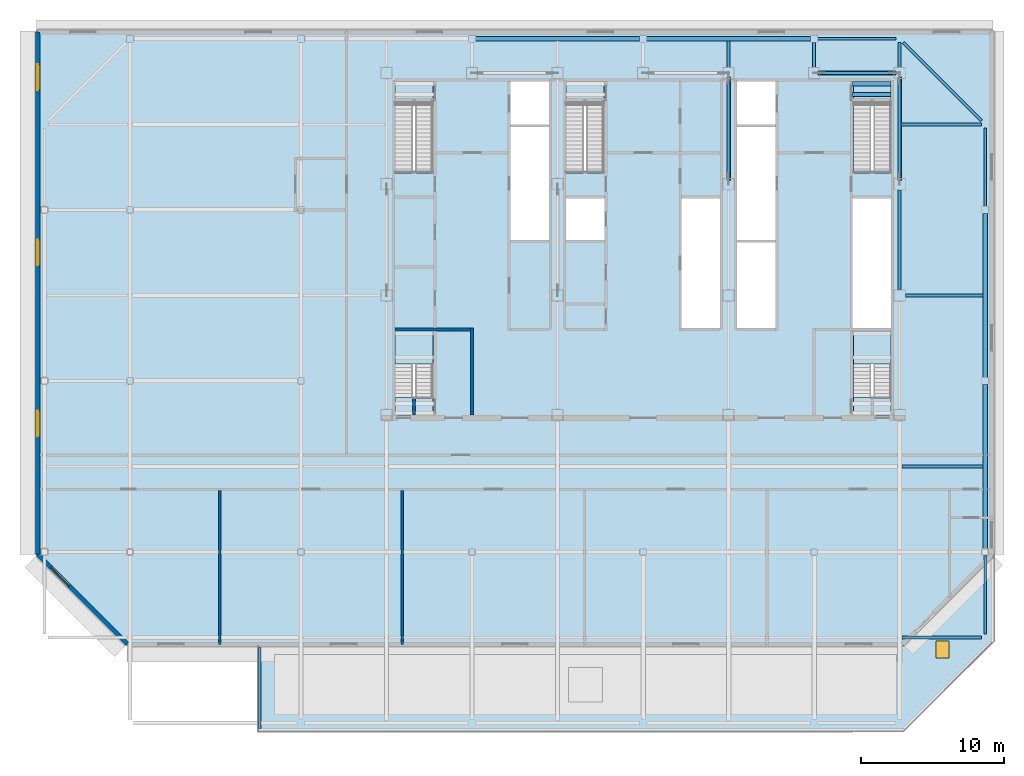
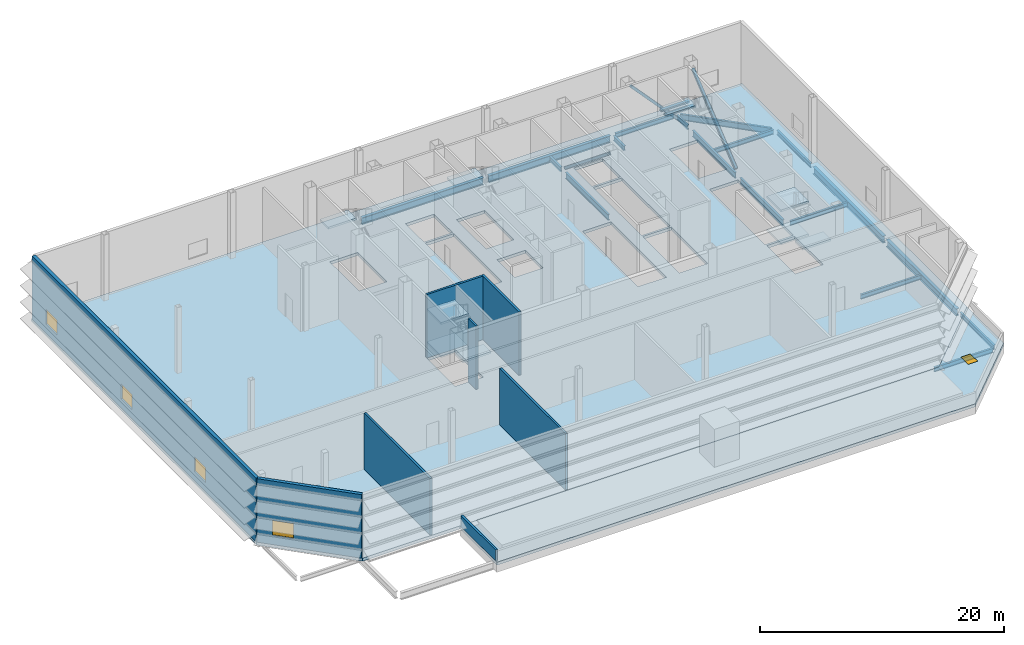
# One storey, part 4 of 14: 20 beams, 11 slabs, 8 walls, 5 windows, 3 members, 5 openings, 5 elements without a shape of their own.
"""IFC4 building model written with IfcOpenShell, lengths in metres."""

from ifc_helpers import new_model, si_unit, direction, frame, frame_2d, origin, origin_2d, place, context, subcontext, project, spatial, polyline, rectangle, hollow_rectangle, i_section, outline, extrude, material, layer, layer_set, material_profile, profile_set, type_object, element, fill, aggregate, save


model = new_model("IFC4")

# Units and contexts
model_context = context("Model", 3, precision=1e-05, world=origin(), true_north=direction((0.0, 1.0)))
body_context = subcontext(model_context, "Body", "Model", "MODEL_VIEW")
ifc_project = project(units=[si_unit("LENGTHUNIT", "METRE"), si_unit("AREAUNIT", "SQUARE_METRE"), si_unit("VOLUMEUNIT", "CUBIC_METRE"), si_unit("PLANEANGLEUNIT", "RADIAN"), si_unit("MASSUNIT", "GRAM", prefix="KILO")], contexts=[model_context])

# Site, building, storey
site_placement = place(None, origin())
site = spatial("IfcSite", under=ifc_project, at=site_placement, CompositionType="ELEMENT")
building_placement = place(site_placement, origin())
building = spatial("IfcBuilding", under=site, at=building_placement, Name="Sorahane Residences", CompositionType="ELEMENT")
storey_placement = place(building_placement, frame((0.0, 0.0, 331.199951171875)))
storey = spatial("IfcBuildingStorey", under=building, at=storey_placement, Name="L79", CompositionType="ELEMENT", Elevation=331.199951171875)

# Members
ifc_material_1 = material(Name="Steel Q355B", Category="steel")
ifc_material_profile_1 = material_profile(ifc_material_1, hollow_rectangle(XDim=0.25, YDim=0.25, WallThickness=0.011962890625, InnerFilletRadius=0.006103515625, OuterFilletRadius=0.01806640625, at=origin_2d()), Name="RHS 250x250x12")
ifc_profile_set_1 = profile_set([ifc_material_profile_1], Name="Steel Q355B")
member_type = type_object("IfcMemberType", Name="Core brace RHS 250x250x12 Q355B", PredefinedType="BRACE", material=ifc_profile_set_1)
member_placement = place(storey_placement, frame((41.6552734375, 45.60009765625, 0.065185546875), z_axis=(-0.677219062153, 0.0, 0.735781449791), x_axis=(0.0, -1.0, 0.0)))
element("IfcMember", 1, at=member_placement, inside=storey, type_object=member_type, Name="Core brace L79 y45.6-6", PredefinedType="BRACE", context=body_context, shape_type="SweptSolid", body=[
    extrude(hollow_rectangle(XDim=0.25, YDim=0.25, WallThickness=0.011962890625, InnerFilletRadius=0.006103515625, OuterFilletRadius=0.01806640625, at=origin_2d()), origin(), (0.0, 0.0, 1.0), 7.841796875),
])
for number, where, z_axis, x_axis, name in (
    (2, (42.0, 38.15283203125, 0.0869140625), (0.0, 0.778149569128, 0.62807901419), (-1.0, 0.0, 0.0), "Core brace L79 x42-3"),
    (3, (30.0, 45.2470703125, 0.0869140625), (0.0, -0.778149569128, 0.62807901419), (1.0, 0.0, 0.0), "Core brace L79 x30-2"),
):
    element("IfcMember", number, at=place(storey_placement, frame(where, z_axis=z_axis, x_axis=x_axis)), inside=storey, type_object=member_type, Name=name, PredefinedType="BRACE", context=body_context, shape_type="SweptSolid", body=[
        extrude(hollow_rectangle(XDim=0.25, YDim=0.25, WallThickness=0.011962890625, InnerFilletRadius=0.006103515625, OuterFilletRadius=0.01806640625, at=origin_2d()), origin(), (0.0, 0.0, 1.0), 9.11669921875),
    ])

# Beams
ifc_material_2 = material(Name="Concrete C40", Category="concrete")
ifc_material_profile_2 = material_profile(ifc_material_2, rectangle(XDim=0.300048828125, YDim=0.139892578125, at=origin_2d()), Name="300x140")
ifc_profile_set_2 = profile_set([ifc_material_profile_2], Name="Concrete C40")
beam_type_1 = type_object("IfcBeamType", Name="RC landing beam 300 x 140 Concrete C40", PredefinedType="BEAM", material=ifc_profile_set_2)
for number, where, z_axis, x_axis, name in (
    (4, (38.699951171875, 44.090087890625, 3.030029296875), (1.0, 0.0, 0.0), (0.0, 1.0, 0.0), "Landing beam"),
    (5, (38.699951171875, 44.85009765625, 3.030029296875), (1.0, 0.0, 0.0), (0.0, 1.0, 0.0), "Landing beam"),
):
    element("IfcBeam", number, at=place(storey_placement, frame(where, z_axis=z_axis, x_axis=x_axis)), inside=storey, type_object=beam_type_1, Name=name, PredefinedType="BEAM", context=body_context, shape_type="SweptSolid", body=[
        extrude(rectangle(XDim=0.300048828125, YDim=0.139892578125, at=origin_2d()), origin(), (0.0, 0.0, 1.0), 2.699951171875),
    ])
ifc_material_3 = material(Name="Steel Q355B", Category="steel")
ifc_material_profile_3 = material_profile(ifc_material_3, i_section(OverallWidth=0.199951171875, OverallDepth=0.449951171875, WebThickness=0.009033203125, FlangeThickness=0.013916015625, FilletRadius=0.02001953125, at=origin_2d()), Name="HN 450x200x9x14")
ifc_profile_set_3 = profile_set([ifc_material_profile_3], Name="Steel Q355B")
beam_type_2 = type_object("IfcBeamType", Name="Steel floor beam HN 450x200x9x14 Q355B", PredefinedType="BEAM", material=ifc_profile_set_3)
beam_1_placement = place(storey_placement, frame((36.25, 48.0, -0.52490234375), z_axis=(1.0, 0.0, 0.0), x_axis=(0.0, 1.0, 0.0)))
element("IfcBeam", 6, at=beam_1_placement, inside=storey, type_object=beam_type_2, Name="Beam L79 019", PredefinedType="BEAM", context=body_context, shape_type="SweptSolid", body=[
    extrude(i_section(OverallWidth=0.199951171875, OverallDepth=0.449951171875, WebThickness=0.009033203125, FlangeThickness=0.013916015625, FilletRadius=0.02001953125, at=origin_2d()), origin(), (0.0, 0.0, 1.0), 5.5),
])
beam_2_placement = place(storey_placement, frame((30.0, 46.0, -0.52490234375), z_axis=(0.0, 1.0, 0.0), x_axis=(-1.0, 0.0, 0.0)))
element("IfcBeam", 7, at=beam_2_placement, inside=storey, type_object=beam_type_2, Name="Beam L79 053", PredefinedType="BEAM", context=body_context, shape_type="SweptSolid", body=[
    extrude(i_section(OverallWidth=0.199951171875, OverallDepth=0.449951171875, WebThickness=0.009033203125, FlangeThickness=0.013916015625, FilletRadius=0.02001953125, at=origin_2d()), origin(), (0.0, 0.0, 1.0), 1.85009765625),
])
for number, where, z_axis, x_axis, name in (
    (8, (36.0, 46.0, -0.52490234375), (0.0, 1.0, 0.0), (-1.0, 0.0, 0.0), "Beam L79 055"),
    (9, (42.0, 46.0, -0.52490234375), (0.0, 1.0, 0.0), (-1.0, 0.0, 0.0), "Beam L79 061"),
):
    element("IfcBeam", number, at=place(storey_placement, frame(where, z_axis=z_axis, x_axis=x_axis)), inside=storey, type_object=beam_type_2, Name=name, PredefinedType="BEAM", context=body_context, shape_type="SweptSolid", body=[
        extrude(i_section(OverallWidth=0.199951171875, OverallDepth=0.449951171875, WebThickness=0.009033203125, FlangeThickness=0.013916015625, FilletRadius=0.02001953125, at=origin_2d()), origin(), (0.0, 0.0, 1.0), 1.75),
    ])
for number, where, z_axis, x_axis, name in (
    (10, (48.0, 6.25, -0.52490234375), (0.0, 1.0, 0.0), (-1.0, 0.0, 0.0), "Beam L79 062"),
    (11, (48.0, 36.25, -0.52490234375), (0.0, 1.0, 0.0), (-1.0, 0.0, 0.0), "Beam L79 065"),
):
    element("IfcBeam", number, at=place(storey_placement, frame(where, z_axis=z_axis, x_axis=x_axis)), inside=storey, type_object=beam_type_2, Name=name, PredefinedType="BEAM", context=body_context, shape_type="SweptSolid", body=[
        extrude(i_section(OverallWidth=0.199951171875, OverallDepth=0.449951171875, WebThickness=0.009033203125, FlangeThickness=0.013916015625, FilletRadius=0.02001953125, at=origin_2d()), origin(), (0.0, 0.0, 1.0), 5.5),
    ])
beam_3_placement = place(storey_placement, frame((42.14990234375, 6.0, -0.52490234375), z_axis=(1.0, 0.0, 0.0), x_axis=(0.0, 1.0, 0.0)))
element("IfcBeam", 12, at=beam_3_placement, inside=storey, type_object=beam_type_2, Name="Beam L79 075", PredefinedType="BEAM", context=body_context, shape_type="SweptSolid", body=[
    extrude(i_section(OverallWidth=0.199951171875, OverallDepth=0.449951171875, WebThickness=0.009033203125, FlangeThickness=0.013916015625, FilletRadius=0.02001953125, at=origin_2d()), origin(), (0.0, 0.0, 1.0), 5.60009765625),
])
beam_4_placement = place(storey_placement, frame((42.14990234375, 18.0, -0.52490234375), z_axis=(1.0, 0.0, 0.0), x_axis=(0.0, 1.0, 0.0)))
element("IfcBeam", 13, at=beam_4_placement, inside=storey, type_object=beam_type_2, Name="Beam L79 082", PredefinedType="BEAM", context=body_context, shape_type="SweptSolid", body=[
    extrude(i_section(OverallWidth=0.199951171875, OverallDepth=0.449951171875, WebThickness=0.009033203125, FlangeThickness=0.013916015625, FilletRadius=0.02001953125, at=origin_2d()), origin(), (0.0, 0.0, 1.0), 5.7001953125),
])
beam_5_placement = place(storey_placement, frame((42.39990234375, 30.0, -0.52490234375), z_axis=(1.0, 0.0, 0.0), x_axis=(0.0, 1.0, 0.0)))
element("IfcBeam", 14, at=beam_5_placement, inside=storey, type_object=beam_type_2, Name="Beam L79 086", PredefinedType="BEAM", context=body_context, shape_type="SweptSolid", body=[
    extrude(i_section(OverallWidth=0.199951171875, OverallDepth=0.449951171875, WebThickness=0.009033203125, FlangeThickness=0.013916015625, FilletRadius=0.02001953125, at=origin_2d()), origin(), (0.0, 0.0, 1.0), 5.4501953125),
])
beam_6_placement = place(storey_placement, frame((42.10009765625, 42.0, -0.52490234375), z_axis=(1.0, 0.0, 0.0), x_axis=(0.0, 1.0, 0.0)))
element("IfcBeam", 15, at=beam_6_placement, inside=storey, type_object=beam_type_2, Name="Beam L79 090", PredefinedType="BEAM", context=body_context, shape_type="SweptSolid", body=[
    extrude(i_section(OverallWidth=0.199951171875, OverallDepth=0.449951171875, WebThickness=0.009033203125, FlangeThickness=0.013916015625, FilletRadius=0.02001953125, at=origin_2d()), origin(), (0.0, 0.0, 1.0), 5.64990234375),
])
ifc_material_4 = material(Name="Steel Q355B", Category="steel")
ifc_material_profile_4 = material_profile(ifc_material_4, i_section(OverallWidth=0.199951171875, OverallDepth=0.60009765625, WebThickness=0.010986328125, FlangeThickness=0.01708984375, FilletRadius=0.02392578125, at=origin_2d()), Name="HN 600x200x11x17")
ifc_profile_set_4 = profile_set([ifc_material_profile_4], Name="Steel Q355B")
beam_type_3 = type_object("IfcBeamType", Name="Steel floor beam HN 600x200x11x17 Q355B", PredefinedType="BEAM", material=ifc_profile_set_4)
for number, where, z_axis, x_axis, name in (
    (16, (30.0, 38.199951171875, -0.599853515625), (0.0, 1.0, 0.0), (-1.0, 0.0, 0.0), "Beam L79 052"),
    (17, (42.0, 30.39990234375, -0.599853515625), (0.0, 1.0, 0.0), (-1.0, 0.0, 0.0), "Beam L79 059"),
    (18, (42.0, 38.199951171875, -0.599853515625), (0.0, 1.0, 0.0), (-1.0, 0.0, 0.0), "Beam L79 060"),
):
    element("IfcBeam", number, at=place(storey_placement, frame(where, z_axis=z_axis, x_axis=x_axis)), inside=storey, type_object=beam_type_3, Name=name, PredefinedType="BEAM", context=body_context, shape_type="SweptSolid", body=[
        extrude(i_section(OverallWidth=0.199951171875, OverallDepth=0.60009765625, WebThickness=0.010986328125, FlangeThickness=0.01708984375, FilletRadius=0.02392578125, at=origin_2d()), origin(), (0.0, 0.0, 1.0), 7.0),
    ])
beam_7_placement = place(storey_placement, frame((42.25, 47.75, -0.599853515625), z_axis=(0.707106781187, -0.707106781187, 0.0), x_axis=(0.707106781187, 0.707106781187, 0.0)))
element("IfcBeam", 19, at=beam_7_placement, inside=storey, type_object=beam_type_3, Name="Beam L79 092", PredefinedType="BEAM", context=body_context, shape_type="SweptSolid", body=[
    extrude(i_section(OverallWidth=0.199951171875, OverallDepth=0.60009765625, WebThickness=0.010986328125, FlangeThickness=0.01708984375, FilletRadius=0.02392578125, at=origin_2d()), origin(), (0.0, 0.0, 1.0), 7.778076171875),
])
ifc_material_5 = material(Name="Steel Q355B", Category="steel")
ifc_material_profile_5 = material_profile(ifc_material_5, i_section(OverallWidth=0.300048828125, OverallDepth=0.699951171875, WebThickness=0.012939453125, FlangeThickness=0.02392578125, FilletRadius=0.028076171875, at=origin_2d()), Name="HN 700x300x13x24")
ifc_profile_set_5 = profile_set([ifc_material_profile_5], Name="Steel Q355B")
beam_type_4 = type_object("IfcBeamType", Name="Steel floor beam HN 700x300x13x24 Q355B", PredefinedType="BEAM", material=ifc_profile_set_5)
for number, where, z_axis, x_axis, name in (
    (20, (12.25, 48.0, -0.64990234375), (1.0, 0.0, 0.0), (0.0, 1.0, 0.0), "Beam L79 017"),
    (21, (24.25, 48.0, -0.64990234375), (1.0, 0.0, 0.0), (0.0, 1.0, 0.0), "Beam L79 018"),
    (22, (48.0, 12.25, -0.64990234375), (0.0, 1.0, 0.0), (-1.0, 0.0, 0.0), "Beam L79 063"),
    (23, (48.0, 24.25, -0.64990234375), (0.0, 1.0, 0.0), (-1.0, 0.0, 0.0), "Beam L79 064"),
):
    element("IfcBeam", number, at=place(storey_placement, frame(where, z_axis=z_axis, x_axis=x_axis)), inside=storey, type_object=beam_type_4, Name=name, PredefinedType="BEAM", context=body_context, shape_type="SweptSolid", body=[
        extrude(i_section(OverallWidth=0.300048828125, OverallDepth=0.699951171875, WebThickness=0.012939453125, FlangeThickness=0.02392578125, FilletRadius=0.028076171875, at=origin_2d()), origin(), (0.0, 0.0, 1.0), 11.5),
    ])

# Slab
ifc_material_6 = material(Name="Concrete C35", Category="concrete")
ifc_layer_1 = layer(ifc_material_6, 0.300048828125)
ifc_layer_set_1 = layer_set([ifc_layer_1], Name="Composite floor slab 300 mm Concrete C35")
slab_type_1 = type_object("IfcSlabType", Name="Composite floor slab 300 mm Concrete C35", PredefinedType="FLOOR", material=ifc_layer_set_1)
slab_1_placement = place(storey_placement, frame((0.0, 0.0, -0.300048828125)))
element("IfcSlab", 24, at=slab_1_placement, inside=storey, type_object=slab_type_1, Name="Slab L79", PredefinedType="FLOOR", context=body_context, shape_type="SweptSolid", body=[
    extrude(outline(polyline([(-12.24853515625, 5.39990234375), (-18.60009765625, 11.75146484375), (-18.60009765625, 48.60009765625), (48.60009765625, 48.60009765625), (48.60009765625, 11.75146484375), (42.24853515625, 5.39990234375), (-12.24853515625, 5.39990234375)]), holes=[polyline([(38.699951171875, 27.699951171875), (41.39990234375, 27.699951171875), (41.39990234375, 36.800048828125), (38.699951171875, 36.800048828125), (38.699951171875, 27.699951171875)]), polyline([(30.60009765625, 27.699951171875), (33.300048828125, 27.699951171875), (33.300048828125, 33.699951171875), (30.60009765625, 33.699951171875), (30.60009765625, 27.699951171875)]), polyline([(30.60009765625, 42.0), (33.300048828125, 42.0), (33.300048828125, 45.0), (30.60009765625, 45.0), (30.60009765625, 42.0)]), polyline([(14.699951171875, 42.0), (17.39990234375, 42.0), (17.39990234375, 45.0), (14.699951171875, 45.0), (14.699951171875, 42.0)]), polyline([(6.60009765625, 43.39990234375), (9.25, 43.39990234375), (9.25, 38.60009765625), (6.60009765625, 38.60009765625), (6.60009765625, 43.39990234375)]), polyline([(38.75, 43.39990234375), (41.39990234375, 43.39990234375), (41.39990234375, 38.60009765625), (38.75, 38.60009765625), (38.75, 43.39990234375)]), polyline([(18.60009765625, 43.39990234375), (21.25, 43.39990234375), (21.25, 38.60009765625), (18.60009765625, 38.60009765625), (18.60009765625, 43.39990234375)]), polyline([(6.60009765625, 27.5), (9.25, 27.5), (9.25, 22.85009765625), (6.60009765625, 22.85009765625), (6.60009765625, 27.5)]), polyline([(38.75, 27.5), (41.39990234375, 27.5), (41.39990234375, 22.85009765625), (38.75, 22.85009765625), (38.75, 27.5)]), polyline([(14.699951171875, 33.89990234375), (17.39990234375, 33.89990234375), (17.39990234375, 41.800048828125), (14.699951171875, 41.800048828125), (14.699951171875, 33.89990234375)]), polyline([(30.60009765625, 33.89990234375), (33.300048828125, 33.89990234375), (33.300048828125, 41.800048828125), (30.60009765625, 41.800048828125), (30.60009765625, 33.89990234375)]), polyline([(18.60009765625, 33.89990234375), (21.300048828125, 33.89990234375), (21.300048828125, 36.800048828125), (18.60009765625, 36.800048828125), (18.60009765625, 33.89990234375)]), polyline([(26.699951171875, 27.699951171875), (29.39990234375, 27.699951171875), (29.39990234375, 36.800048828125), (26.699951171875, 36.800048828125), (26.699951171875, 27.699951171875)])]), origin(), (0.0, 0.0, 1.0), 0.300048828125),
])

# Slab, opening, window
ifc_material_7 = material(Name="Concrete C35", Category="concrete")
ifc_layer_2 = layer(ifc_material_7, 0.300048828125)
ifc_layer_set_2 = layer_set([ifc_layer_2], Name="Roof terrace slab Concrete C35 paved 300")
slab_type_2 = type_object("IfcSlabType", Name="Roof terrace slab Concrete C35 paved 300", PredefinedType="ROOF", material=ifc_layer_set_2)
slab_2_placement = place(storey_placement, frame((0.0, 0.0, -0.300048828125)))
slab_2 = element("IfcSlab", 25, at=slab_2_placement, inside=storey, type_object=slab_type_2, Name="Garden roof slab L79.1", PredefinedType="ROOF", context=body_context, shape_type="SweptSolid", body=[
    extrude(outline(polyline([(42.24853515625, 5.39990234375), (48.60009765625, 11.75146484375), (48.60009765625, 5.75146484375), (42.24853515625, -0.60009765625), (-3.0, -0.60009765625), (-3.0, 5.39990234375), (42.24853515625, 5.39990234375)])), origin(), (0.0, 0.0, 1.0), 0.300048828125),
])
opening_1_placement = place(slab_2_placement, frame((45.013916015625, 5.166015625, 0.0)))
opening_1 = element("IfcOpeningElement", 26, at=opening_1_placement, cuts=slab_2, Name="Opening RH-1", PredefinedType="OPENING", context=body_context, shape_type="SweptSolid", body=[
    extrude(rectangle(XDim=0.89990234375, YDim=1.199951171875, at=origin_2d()), frame((0.0, 0.0, -0.010009765625)), (0.0, 0.0, 1.0), 0.320068359375),
])
ifc_material_8 = material(Name="Aluminium and glass", Category="aluminium")
window_type_1 = type_object("IfcWindowType", Name="ROOF ACCESS HATCH aluminium 900x1200", PartitioningType="SINGLE_PANEL", PredefinedType="SKYLIGHT", material=ifc_material_8)
window_1_placement = place(opening_1_placement, frame((0.0, 0.0, 0.25)))
window_1 = element("IfcWindow", 27, at=window_1_placement, inside=storey, type_object=window_type_1, Name="Roof access hatch L79.1", OverallHeight=1.199951171875, OverallWidth=0.89990234375, PartitioningType="SINGLE_PANEL", PredefinedType="SKYLIGHT", context=body_context, shape_type="SweptSolid", body=[
    extrude(rectangle(XDim=0.89990234375, YDim=1.199951171875, at=origin_2d()), origin(), (0.0, 0.0, 1.0), 0.050048828125),
])
fill(opening_1, window_1)

# Stair, slab
ifc_material_9 = material(Name="Concrete C40", Category="concrete")
stair_type = type_object("IfcStairType", Name="Dog-leg stair 1250 Concrete C40", PredefinedType="HALF_TURN_STAIR", material=ifc_material_9)
stair_1_placement = place(storey_placement, origin())
stair_1 = element("IfcStair", 28, at=stair_1_placement, inside=storey, type_object=stair_type, Name="L79 Stair S1", PredefinedType="HALF_TURN_STAIR")
ifc_material_10 = material(Name="Concrete C40", Category="concrete")
ifc_layer_3 = layer(ifc_material_10, 0.199951171875)
ifc_layer_set_3 = layer_set([ifc_layer_3], Name="Stair landing 200 Concrete C40")
slab_type_3 = type_object("IfcSlabType", Name="Stair landing 200 Concrete C40", PredefinedType="LANDING", material=ifc_layer_set_3)
slab_3_placement = place(storey_placement, frame((0.0, 0.0, 3.10009765625)))
slab_3 = element("IfcSlab", 29, at=slab_3_placement, type_object=slab_type_3, Name="S1 landing 1", PredefinedType="LANDING", context=body_context, shape_type="SweptSolid", body=[
    extrude(outline(polyline([(9.25, 43.639892578125), (9.25, 45.0), (6.60009765625, 45.0), (6.60009765625, 43.639892578125), (9.25, 43.639892578125)])), origin(), (0.0, 0.0, 1.0), 0.199951171875),
])
aggregate(stair_1, [slab_3])

stair_2_placement = place(storey_placement, origin())
stair_2 = element("IfcStair", 30, at=stair_2_placement, inside=storey, type_object=stair_type, Name="L79 Stair S2", PredefinedType="HALF_TURN_STAIR")
slab_4_placement = place(storey_placement, frame((0.0, 0.0, 3.10009765625)))
slab_4 = element("IfcSlab", 31, at=slab_4_placement, type_object=slab_type_3, Name="S2 landing 1", PredefinedType="LANDING", context=body_context, shape_type="SweptSolid", body=[
    extrude(outline(polyline([(41.39990234375, 43.639892578125), (41.39990234375, 45.0), (38.75, 45.0), (38.75, 43.639892578125), (41.39990234375, 43.639892578125)])), origin(), (0.0, 0.0, 1.0), 0.199951171875),
])
aggregate(stair_2, [slab_4])

stair_3_placement = place(storey_placement, origin())
stair_3 = element("IfcStair", 32, at=stair_3_placement, inside=storey, type_object=stair_type, Name="L79 Stair S3", PredefinedType="HALF_TURN_STAIR")
slab_5_placement = place(storey_placement, frame((0.0, 0.0, 3.10009765625)))
slab_5 = element("IfcSlab", 33, at=slab_5_placement, type_object=slab_type_3, Name="S3 landing 1", PredefinedType="LANDING", context=body_context, shape_type="SweptSolid", body=[
    extrude(outline(polyline([(21.25, 43.639892578125), (21.25, 45.0), (18.60009765625, 45.0), (18.60009765625, 43.639892578125), (21.25, 43.639892578125)])), origin(), (0.0, 0.0, 1.0), 0.199951171875),
])
aggregate(stair_3, [slab_5])

# Stair, slabs
stair_4_placement = place(storey_placement, origin())
stair_4 = element("IfcStair", 34, at=stair_4_placement, inside=storey, type_object=stair_type, Name="L79 Stair S4", PredefinedType="HALF_TURN_STAIR")
slab_6_placement = place(storey_placement, frame((0.0, 0.0, 1.449951171875)))
slab_6 = element("IfcSlab", 35, at=slab_6_placement, type_object=slab_type_3, Name="S4 landing 1", PredefinedType="LANDING", context=body_context, shape_type="SweptSolid", body=[
    extrude(outline(polyline([(9.25, 25.18994140625), (9.25, 27.5), (6.60009765625, 27.5), (6.60009765625, 25.18994140625), (9.25, 25.18994140625)])), origin(), (0.0, 0.0, 1.0), 0.2001953125),
])
slab_7_placement = place(storey_placement, frame((0.0, 0.0, 3.10009765625)))
slab_7 = element("IfcSlab", 36, at=slab_7_placement, type_object=slab_type_3, Name="S4 landing 2", PredefinedType="LANDING", context=body_context, shape_type="SweptSolid", body=[
    extrude(outline(polyline([(9.25, 21.60009765625), (9.25, 22.85009765625), (6.60009765625, 22.85009765625), (6.60009765625, 21.60009765625), (9.25, 21.60009765625)])), origin(), (0.0, 0.0, 1.0), 0.199951171875),
])
slab_8_placement = place(storey_placement, frame((0.0, 0.0, 4.75)))
slab_8 = element("IfcSlab", 37, at=slab_8_placement, type_object=slab_type_3, Name="S4 landing 3", PredefinedType="LANDING", context=body_context, shape_type="SweptSolid", body=[
    extrude(outline(polyline([(9.25, 25.18994140625), (9.25, 27.5), (6.60009765625, 27.5), (6.60009765625, 25.18994140625), (9.25, 25.18994140625)])), origin(), (0.0, 0.0, 1.0), 0.199951171875),
])
aggregate(stair_4, [slab_6, slab_7, slab_8])

stair_5_placement = place(storey_placement, origin())
stair_5 = element("IfcStair", 38, at=stair_5_placement, inside=storey, type_object=stair_type, Name="L79 Stair S5", PredefinedType="HALF_TURN_STAIR")
slab_9_placement = place(storey_placement, frame((0.0, 0.0, 1.449951171875)))
slab_9 = element("IfcSlab", 39, at=slab_9_placement, type_object=slab_type_3, Name="S5 landing 1", PredefinedType="LANDING", context=body_context, shape_type="SweptSolid", body=[
    extrude(outline(polyline([(41.39990234375, 25.18994140625), (41.39990234375, 27.5), (38.75, 27.5), (38.75, 25.18994140625), (41.39990234375, 25.18994140625)])), origin(), (0.0, 0.0, 1.0), 0.2001953125),
])
slab_10_placement = place(storey_placement, frame((0.0, 0.0, 3.10009765625)))
slab_10 = element("IfcSlab", 40, at=slab_10_placement, type_object=slab_type_3, Name="S5 landing 2", PredefinedType="LANDING", context=body_context, shape_type="SweptSolid", body=[
    extrude(outline(polyline([(41.39990234375, 21.60009765625), (41.39990234375, 22.85009765625), (38.75, 22.85009765625), (38.75, 21.60009765625), (41.39990234375, 21.60009765625)])), origin(), (0.0, 0.0, 1.0), 0.199951171875),
])
slab_11_placement = place(storey_placement, frame((0.0, 0.0, 4.75)))
slab_11 = element("IfcSlab", 41, at=slab_11_placement, type_object=slab_type_3, Name="S5 landing 3", PredefinedType="LANDING", context=body_context, shape_type="SweptSolid", body=[
    extrude(outline(polyline([(41.39990234375, 25.18994140625), (41.39990234375, 27.5), (38.75, 27.5), (38.75, 25.18994140625), (41.39990234375, 25.18994140625)])), origin(), (0.0, 0.0, 1.0), 0.199951171875),
])
aggregate(stair_5, [slab_9, slab_10, slab_11])

# Wall, openings, windows
ifc_material_11 = material(Name="Graphite insulated metal-clad wall")
ifc_layer_4 = layer(ifc_material_11, 0.300048828125)
ifc_layer_set_4 = layer_set([ifc_layer_4], Name="External wall insulated metal-clad 300")
wall_type_1 = type_object("IfcWallType", Name="External wall insulated metal-clad 300", PredefinedType="SOLIDWALL", material=ifc_layer_set_4)
wall_1_placement = place(storey_placement, frame((-18.469970703125, 48.469970703125, 0.0), z_axis=(0.0, 0.0, 1.0), x_axis=(0.0, -1.0, 0.0)))
wall_1 = element("IfcWall", 42, at=wall_1_placement, inside=storey, type_object=wall_type_1, Name="External plant wall L79 W1", PredefinedType="SOLIDWALL", context=body_context, shape_type="SweptSolid", body=[
    extrude(rectangle(XDim=36.66455078125, YDim=0.300048828125, at=frame_2d((18.332275390625, 0.0))), origin(), (0.0, 0.0, 1.0), 6.35009765625),
])
opening_2_placement = place(wall_1_placement, frame((2.27001953125, 0.0, 0.89990234375)))
opening_2 = element("IfcOpeningElement", 43, at=opening_2_placement, cuts=wall_1, Name="Opening W-R1", PredefinedType="OPENING", context=body_context, shape_type="SweptSolid", body=[
    extrude(rectangle(XDim=1.800048828125, YDim=1.5, at=frame_2d((0.89990234375, 0.75))), frame((0.0, 0.159912109375, 0.0), z_axis=(0.0, -1.0, 0.0), x_axis=(1.0, 0.0, 0.0)), (0.0, 0.0, 1.0), 0.320068359375),
])
opening_3_placement = place(wall_1_placement, frame((14.570068359375, 0.0, 0.89990234375)))
opening_3 = element("IfcOpeningElement", 44, at=opening_3_placement, cuts=wall_1, Name="Opening W-R1", PredefinedType="OPENING", context=body_context, shape_type="SweptSolid", body=[
    extrude(rectangle(XDim=1.800048828125, YDim=1.5, at=frame_2d((0.89990234375, 0.75))), frame((0.0, 0.159912109375, 0.0), z_axis=(0.0, -1.0, 0.0), x_axis=(1.0, 0.0, 0.0)), (0.0, 0.0, 1.0), 0.320068359375),
])
opening_4_placement = place(wall_1_placement, frame((26.570068359375, 0.0, 0.89990234375)))
opening_4 = element("IfcOpeningElement", 45, at=opening_4_placement, cuts=wall_1, Name="Opening W-R1", PredefinedType="OPENING", context=body_context, shape_type="SweptSolid", body=[
    extrude(rectangle(XDim=1.800048828125, YDim=1.5, at=frame_2d((0.89990234375, 0.75))), frame((0.0, 0.159912109375, 0.0), z_axis=(0.0, -1.0, 0.0), x_axis=(1.0, 0.0, 0.0)), (0.0, 0.0, 1.0), 0.320068359375),
])
ifc_material_12 = material(Name="Dark aluminium and glass", Category="aluminium")
window_type_2 = type_object("IfcWindowType", Name="Openable Class B fire window dark aluminium 1800x1500", PartitioningType="SINGLE_PANEL", PredefinedType="WINDOW", material=ifc_material_12)
window_2_placement = place(opening_2_placement, origin())
window_2 = element("IfcWindow", 46, at=window_2_placement, inside=storey, type_object=window_type_2, Name="Openable fire window L79 W1.1", OverallHeight=1.5, OverallWidth=1.800048828125, PartitioningType="SINGLE_PANEL", PredefinedType="WINDOW", context=body_context, shape_type="SweptSolid", body=[
    extrude(rectangle(XDim=1.800048828125, YDim=1.5, at=frame_2d((0.89990234375, 0.75))), frame((0.0, 0.030029296875, 0.0), z_axis=(0.0, -1.0, 0.0), x_axis=(1.0, 0.0, 0.0)), (0.0, 0.0, 1.0), 0.06005859375),
])
fill(opening_2, window_2)
window_3_placement = place(opening_3_placement, origin())
window_3 = element("IfcWindow", 47, at=window_3_placement, inside=storey, type_object=window_type_2, Name="Openable fire window L79 W1.3", OverallHeight=1.5, OverallWidth=1.800048828125, PartitioningType="SINGLE_PANEL", PredefinedType="WINDOW", context=body_context, shape_type="SweptSolid", body=[
    extrude(rectangle(XDim=1.800048828125, YDim=1.5, at=frame_2d((0.89990234375, 0.75))), frame((0.0, 0.030029296875, 0.0), z_axis=(0.0, -1.0, 0.0), x_axis=(1.0, 0.0, 0.0)), (0.0, 0.0, 1.0), 0.06005859375),
])
fill(opening_3, window_3)
window_4_placement = place(opening_4_placement, origin())
window_4 = element("IfcWindow", 48, at=window_4_placement, inside=storey, type_object=window_type_2, Name="Openable fire window L79 W1.5", OverallHeight=1.5, OverallWidth=1.800048828125, PartitioningType="SINGLE_PANEL", PredefinedType="WINDOW", context=body_context, shape_type="SweptSolid", body=[
    extrude(rectangle(XDim=1.800048828125, YDim=1.5, at=frame_2d((0.89990234375, 0.75))), frame((0.0, 0.030029296875, 0.0), z_axis=(0.0, -1.0, 0.0), x_axis=(1.0, 0.0, 0.0)), (0.0, 0.0, 1.0), 0.06005859375),
])
fill(opening_4, window_4)

# Wall, opening, window
wall_2_placement = place(storey_placement, frame((-18.469970703125, 11.805419921875, 0.0), z_axis=(0.0, 0.0, 1.0), x_axis=(0.707106781187, -0.707106781187, 0.0)))
wall_2 = element("IfcWall", 49, at=wall_2_placement, inside=storey, type_object=wall_type_1, Name="External plant wall L79 SW1", PredefinedType="SOLIDWALL", context=body_context, shape_type="SweptSolid", body=[
    extrude(rectangle(XDim=8.874755859375, YDim=0.300048828125, at=frame_2d((4.4375, 0.0))), origin(), (0.0, 0.0, 1.0), 6.35009765625),
])
opening_5_placement = place(wall_2_placement, frame((1.291748046875, 0.0, 0.89990234375)))
opening_5 = element("IfcOpeningElement", 50, at=opening_5_placement, cuts=wall_2, Name="Opening W-R1", PredefinedType="OPENING", context=body_context, shape_type="SweptSolid", body=[
    extrude(rectangle(XDim=1.800048828125, YDim=1.5, at=frame_2d((0.89990234375, 0.75))), frame((0.0, 0.159912109375, 0.0), z_axis=(0.0, -1.0, 0.0), x_axis=(1.0, 0.0, 0.0)), (0.0, 0.0, 1.0), 0.320068359375),
])
window_5_placement = place(opening_5_placement, origin())
window_5 = element("IfcWindow", 51, at=window_5_placement, inside=storey, type_object=window_type_2, Name="Openable fire window L79 SW1.1", OverallHeight=1.5, OverallWidth=1.800048828125, PartitioningType="SINGLE_PANEL", PredefinedType="WINDOW", context=body_context, shape_type="SweptSolid", body=[
    extrude(rectangle(XDim=1.800048828125, YDim=1.5, at=frame_2d((0.89990234375, 0.75))), frame((0.0, 0.030029296875, 0.0), z_axis=(0.0, -1.0, 0.0), x_axis=(1.0, 0.0, 0.0)), (0.0, 0.0, 1.0), 0.06005859375),
])
fill(opening_5, window_5)

# Walls
ifc_material_13 = material(Name="Concrete blockwork C20 wall", Category="masonry")
ifc_layer_5 = layer(ifc_material_13, 0.199951171875)
ifc_layer_set_5 = layer_set([ifc_layer_5], Name="Fire wall 200 EI 120")
wall_type_2 = type_object("IfcWallType", Name="Fire wall 200 EI 120", PredefinedType="SOLIDWALL", material=ifc_layer_set_5)
wall_3_placement = place(storey_placement, frame((-5.699951171875, 5.5, 0.0), z_axis=(0.0, 0.0, 1.0), x_axis=(0.0, 1.0, 0.0)))
element("IfcWall", 52, at=wall_3_placement, inside=storey, type_object=wall_type_2, Name="L79 fire wall", PredefinedType="SOLIDWALL", context=body_context, shape_type="SweptSolid", body=[
    extrude(rectangle(XDim=10.800048828125, YDim=0.199951171875, at=frame_2d((5.39990234375, 0.0))), origin(), (0.0, 0.0, 1.0), 5.650146484375),
])
ifc_material_14 = material(Name="Concrete C30", Category="concrete")
ifc_layer_6 = layer(ifc_material_14, 0.199951171875)
ifc_layer_set_6 = layer_set([ifc_layer_6], Name="Front room wall 200 EI 120")
wall_type_3 = type_object("IfcWallType", Name="Front room wall 200 EI 120", PredefinedType="PARTITIONING", material=ifc_layer_set_6)
wall_4_placement = place(storey_placement, frame((12.0, 21.60009765625, 0.0), z_axis=(0.0, 0.0, 1.0), x_axis=(0.0, 1.0, 0.0)))
element("IfcWall", 53, at=wall_4_placement, inside=storey, type_object=wall_type_3, Name="L79 front room wall", PredefinedType="PARTITIONING", context=body_context, shape_type="SweptSolid", body=[
    extrude(rectangle(XDim=6.099853515625, YDim=0.199951171875, at=frame_2d((3.0498046875, 0.0))), origin(), (0.0, 0.0, 1.0), 6.35009765625),
])
ifc_material_15 = material(Name="Concrete C35", Category="concrete")
ifc_layer_7 = layer(ifc_material_15, 0.199951171875)
ifc_layer_set_7 = layer_set([ifc_layer_7], Name="Parapet wall Concrete C35 200")
wall_type_4 = type_object("IfcWallType", Name="Parapet wall Concrete C35 200", PredefinedType="PARAPET", material=ifc_layer_set_7)
wall_5_placement = place(storey_placement, frame((-2.89990234375, -0.39990234375, 0.0), z_axis=(0.0, 0.0, 1.0), x_axis=(0.0, 1.0, 0.0)))
element("IfcWall", 54, at=wall_5_placement, inside=storey, type_object=wall_type_4, Name="Roof parapet L79.1.1.4", PredefinedType="PARAPET", context=body_context, shape_type="SweptSolid", body=[
    extrude(rectangle(XDim=5.699951171875, YDim=0.199951171875, at=frame_2d((2.85009765625, 0.0))), origin(), (0.0, 0.0, 1.0), 1.10009765625),
])
ifc_material_16 = material(Name="Concrete blockwork C20 wall", Category="masonry")
ifc_layer_8 = layer(ifc_material_16, 0.199951171875)
ifc_layer_set_8 = layer_set([ifc_layer_8], Name="Plant wall 200 EI 120")
wall_type_5 = type_object("IfcWallType", Name="Plant wall 200 EI 120", PredefinedType="SOLIDWALL", material=ifc_layer_set_8)
wall_6_placement = place(storey_placement, frame((7.10009765625, 5.5, 0.0), z_axis=(0.0, 0.0, 1.0), x_axis=(0.0, 1.0, 0.0)))
element("IfcWall", 55, at=wall_6_placement, inside=storey, type_object=wall_type_5, Name="L79 plant wall", PredefinedType="SOLIDWALL", context=body_context, shape_type="SweptSolid", body=[
    extrude(rectangle(XDim=10.800048828125, YDim=0.199951171875, at=frame_2d((5.39990234375, 0.0))), origin(), (0.0, 0.0, 1.0), 5.650146484375),
])
ifc_material_17 = material(Name="Concrete C30", Category="concrete")
ifc_layer_9 = layer(ifc_material_17, 0.199951171875)
ifc_layer_set_9 = layer_set([ifc_layer_9], Name="Stair enclosure wall 200 EI 120")
wall_type_6 = type_object("IfcWallType", Name="Stair enclosure wall 200 EI 120", PredefinedType="SOLIDWALL", material=ifc_layer_set_9)
wall_7_placement = place(storey_placement, frame((7.925048828125, 21.60009765625, 0.0), z_axis=(0.0, 0.0, 1.0), x_axis=(0.0, 1.0, 0.0)))
element("IfcWall", 56, at=wall_7_placement, inside=storey, type_object=wall_type_6, Name="L79 stair enclosure wall", PredefinedType="SOLIDWALL", context=body_context, shape_type="SweptSolid", body=[
    extrude(rectangle(XDim=1.25, YDim=0.199951171875, at=frame_2d((0.625, 0.0))), origin(), (0.0, 0.0, 1.0), 6.35009765625),
])
wall_8_placement = place(storey_placement, frame((6.60009765625, 27.60009765625, 0.0), z_axis=(0.0, 0.0, 1.0), x_axis=(1.0, 0.0, 0.0)))
element("IfcWall", 57, at=wall_8_placement, inside=storey, type_object=wall_type_6, Name="L79 stair enclosure wall", PredefinedType="SOLIDWALL", context=body_context, shape_type="SweptSolid", body=[
    extrude(rectangle(XDim=5.2998046875, YDim=0.199951171875, at=frame_2d((2.64990234375, 0.0))), origin(), (0.0, 0.0, 1.0), 6.35009765625),
])

save(model, "model.ifc")
